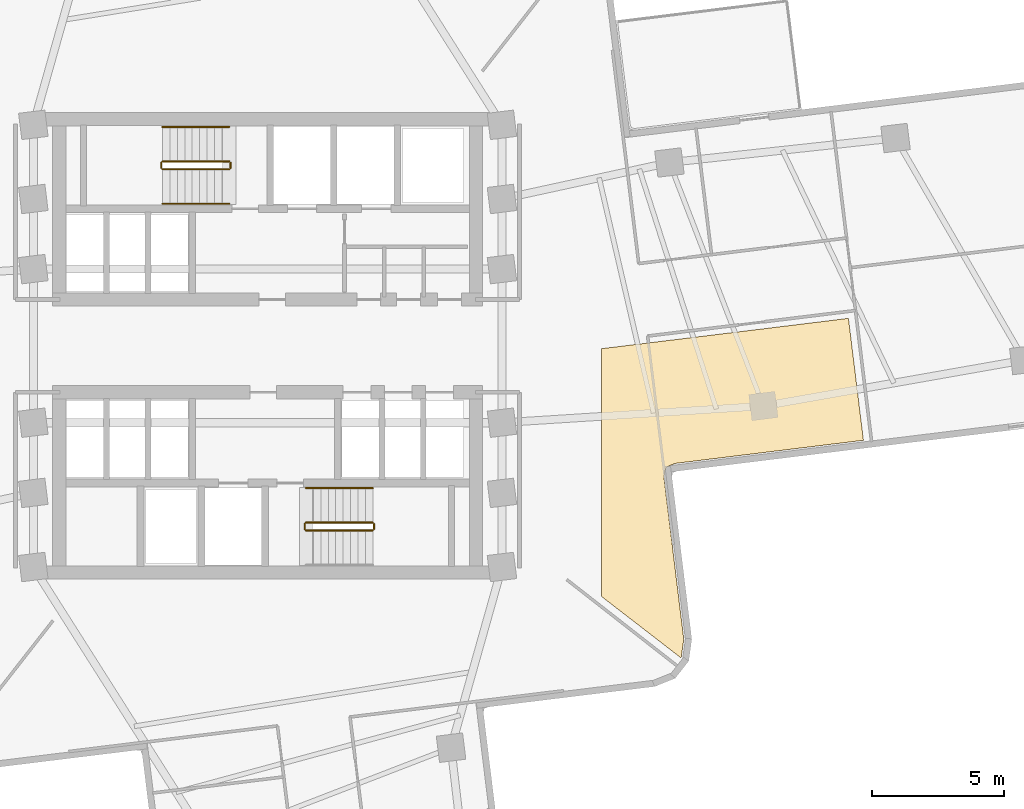
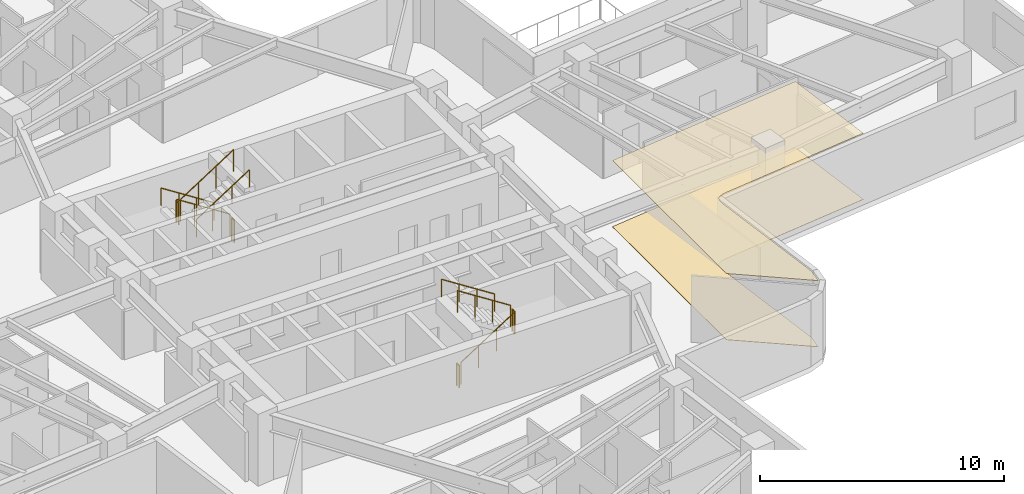
# One storey, part 12 of 13: 11 railings, 2 coverings.
"""IFC4 building model written with IfcOpenShell, lengths in metres."""

from ifc_helpers import new_model, si_unit, direction, frame, origin, origin_2d, place, context, subcontext, project, spatial, polyline, circle, outline, extrude, material, layer, layer_set, type_object, element, save


model = new_model("IFC4")

# Units and contexts
model_context = context("Model", 3, precision=1e-05, world=origin(), true_north=direction((0.0, 1.0)))
body_context = subcontext(model_context, "Body", "Model", "MODEL_VIEW")
ifc_project = project(units=[si_unit("LENGTHUNIT", "METRE"), si_unit("AREAUNIT", "SQUARE_METRE"), si_unit("VOLUMEUNIT", "CUBIC_METRE"), si_unit("PLANEANGLEUNIT", "RADIAN"), si_unit("MASSUNIT", "GRAM", prefix="KILO")], contexts=[model_context])

# Site, building, storey
site_placement = place(None, origin())
site = spatial("IfcSite", under=ifc_project, at=site_placement, CompositionType="ELEMENT")
building_placement = place(site_placement, origin())
building = spatial("IfcBuilding", under=site, at=building_placement, Name="Solmarez Civic Tower", CompositionType="ELEMENT")
storey_placement = place(building_placement, frame((0.0, 0.0, 82.080078125)))
storey = spatial("IfcBuildingStorey", under=building, at=storey_placement, Name="L21", CompositionType="ELEMENT", Elevation=82.080078125)

# Coverings
ifc_material_1 = material(Name="Perforated Mineral-Fibre Acoustic Ceiling")
ifc_layer_1 = layer(ifc_material_1, 0.02490234375)
ifc_layer_set_1 = layer_set([ifc_layer_1], Name="Perforated Mineral-Fibre Acoustic Ceiling")
covering_type_1 = type_object("IfcCoveringType", Name="COV-CEIL-ACOUSTIC", PredefinedType="CEILING", material=ifc_layer_set_1)
covering_1_placement = place(storey_placement, frame((0.0, 0.0, 3.31494140625)))
element("IfcCovering", 1, at=covering_1_placement, inside=storey, type_object=covering_type_1, Name="L21 Suspended Acoustic Ceiling 1", PredefinedType="CEILING", context=body_context, shape_type="SweptSolid", body=[
    extrude(outline(polyline([(12.60009765625, -0.10595703125), (12.60009765625, -9.4560546875), (15.614013671875, -11.783935546875), (15.617919921875, -11.779052734375), (15.717041015625, -11.077880859375), (14.971923828125, -5.006103515625), (14.970947265625, -5.0009765625), (14.968994140625, -4.969970703125), (14.968994140625, -4.962890625), (14.970947265625, -4.931884765625), (14.971923828125, -4.925048828125), (14.99609375, -4.75390625), (14.9970703125, -4.7470703125), (15.0029296875, -4.718017578125), (15.0048828125, -4.7109375), (15.014892578125, -4.68408203125), (15.01806640625, -4.677001953125), (15.029052734375, -4.655029296875), (15.032958984375, -4.64794921875), (15.037109375, -4.64111328125), (15.044921875, -4.6279296875), (15.049072265625, -4.6220703125), (15.06103515625, -4.60498046875), (15.075927734375, -4.589111328125), (15.091064453125, -4.574951171875), (15.10107421875, -4.56591796875), (15.114990234375, -4.554931640625), (15.1220703125, -4.550048828125), (15.136962890625, -4.541015625), (15.154052734375, -4.531005859375), (15.180908203125, -4.51806640625), (15.341064453125, -4.4541015625), (15.35302734375, -4.448974609375), (15.35888671875, -4.447021484375), (15.368896484375, -4.444091796875), (15.3759765625, -4.44189453125), (15.405029296875, -4.43603515625), (15.416015625, -4.43505859375), (22.501953125, -3.56396484375), (21.93603515625, 1.041015625), (12.60009765625, -0.10595703125)])), origin(), (0.0, 0.0, 1.0), 0.02490234375),
])
ifc_material_2 = material(Name="Polished Tropical Stone Terrazzo Flooring", Category="masonry")
ifc_layer_2 = layer(ifc_material_2, 0.02001953125)
ifc_layer_set_2 = layer_set([ifc_layer_2], Name="Polished Tropical Stone Terrazzo Flooring")
covering_type_2 = type_object("IfcCoveringType", Name="COV-FLOOR-TERRAZZO", PredefinedType="FLOORING", material=ifc_layer_set_2)
covering_2_placement = place(storey_placement, origin())
element("IfcCovering", 2, at=covering_2_placement, inside=storey, type_object=covering_type_2, Name="L21 Terrazzo Floor Finish 1", PredefinedType="FLOORING", context=body_context, shape_type="SweptSolid", body=[
    extrude(outline(polyline([(12.60009765625, -0.10595703125), (12.60009765625, -9.4560546875), (15.614013671875, -11.783935546875), (15.617919921875, -11.779052734375), (15.717041015625, -11.077880859375), (14.971923828125, -5.006103515625), (14.970947265625, -5.0009765625), (14.968994140625, -4.969970703125), (14.968994140625, -4.962890625), (14.970947265625, -4.931884765625), (14.971923828125, -4.925048828125), (14.99609375, -4.75390625), (14.9970703125, -4.7470703125), (15.0029296875, -4.718017578125), (15.0048828125, -4.7109375), (15.014892578125, -4.68408203125), (15.01806640625, -4.677001953125), (15.029052734375, -4.655029296875), (15.032958984375, -4.64794921875), (15.037109375, -4.64111328125), (15.044921875, -4.6279296875), (15.049072265625, -4.6220703125), (15.06103515625, -4.60498046875), (15.075927734375, -4.589111328125), (15.091064453125, -4.574951171875), (15.10107421875, -4.56591796875), (15.114990234375, -4.554931640625), (15.1220703125, -4.550048828125), (15.136962890625, -4.541015625), (15.154052734375, -4.531005859375), (15.180908203125, -4.51806640625), (15.341064453125, -4.4541015625), (15.35302734375, -4.448974609375), (15.35888671875, -4.447021484375), (15.368896484375, -4.444091796875), (15.3759765625, -4.44189453125), (15.405029296875, -4.43603515625), (15.416015625, -4.43505859375), (22.501953125, -3.56396484375), (21.93603515625, 1.041015625), (12.60009765625, -0.10595703125)])), origin(), (0.0, 0.0, 1.0), 0.02001953125),
])

# Railings
ifc_material_3 = material(Name="Painted Steel Stairwell Safety Guard", Category="steel")
railing_type_1 = type_object("IfcRailingType", Name="GUARD-STAIR-1120", PredefinedType="BALUSTRADE", material=ifc_material_3)
railing_1_placement = place(storey_placement, frame((-1.449951171875, 6.969970703125, 0.179931640625)))
element("IfcRailing", 3, at=railing_1_placement, inside=storey, type_object=railing_type_1, Name="L21 ST-1 stair guard 1", PredefinedType="BALUSTRADE", context=body_context, shape_type="SweptSolid", body=[
    extrude(circle(Radius=0.02392578125, at=origin_2d()), frame((0.0, 0.0, 1.09619140625), z_axis=(-0.841199657755, 0.0, 0.540724639528), x_axis=(0.0, -1.0, 0.0)), (0.0, 0.0, 1.0), 2.995849609375),
    extrude(circle(Radius=0.02099609375, at=origin_2d()), origin(), (0.0, 0.0, 1.0), 1.072021484375),
    extrude(circle(Radius=0.02099609375, at=origin_2d()), frame((-0.840087890625, 0.0, 0.5400390625)), (0.0, 0.0, 1.0), 1.072021484375),
    extrude(circle(Radius=0.02099609375, at=origin_2d()), frame((-1.679931640625, 0.0, 1.079833984375)), (0.0, 0.0, 1.0), 1.072021484375),
    extrude(circle(Radius=0.02099609375, at=origin_2d()), frame((-2.52001953125, 0.0, 1.619873046875)), (0.0, 0.0, 1.0), 1.072021484375),
])
railing_2_placement = place(storey_placement, frame((-4.02001953125, 6.919921875, 1.7998046875)))
element("IfcRailing", 4, at=railing_2_placement, inside=storey, type_object=railing_type_1, Name="L21 ST-1 stair guard 2", PredefinedType="BALUSTRADE", context=body_context, shape_type="SweptSolid", body=[
    extrude(circle(Radius=0.02392578125, at=origin_2d()), frame((0.0, 0.0, 1.09619140625), z_axis=(0.0, -1.0, 0.0), x_axis=(1.0, 0.0, 0.0)), (0.0, 0.0, 1.0), 0.199951171875),
    extrude(circle(Radius=0.02099609375, at=origin_2d()), origin(), (0.0, 0.0, 1.0), 1.072021484375),
    extrude(circle(Radius=0.02099609375, at=origin_2d()), frame((0.0, -0.199951171875, 0.0)), (0.0, 0.0, 1.0), 1.072021484375),
])
railing_3_placement = place(storey_placement, frame((-3.969970703125, 6.669921875, 1.97998046875)))
element("IfcRailing", 5, at=railing_3_placement, inside=storey, type_object=railing_type_1, Name="L21 ST-1 stair guard 3", PredefinedType="BALUSTRADE", context=body_context, shape_type="SweptSolid", body=[
    extrude(circle(Radius=0.02392578125, at=origin_2d()), frame((0.0, 0.0, 1.09619140625), z_axis=(0.841199657755, 0.0, 0.540724639528), x_axis=(0.0, 1.0, 0.0)), (0.0, 0.0, 1.0), 2.995849609375),
    extrude(circle(Radius=0.02099609375, at=origin_2d()), origin(), (0.0, 0.0, 1.0), 1.072021484375),
    extrude(circle(Radius=0.02099609375, at=origin_2d()), frame((0.840087890625, 0.0, 0.5400390625)), (0.0, 0.0, 1.0), 1.072021484375),
    extrude(circle(Radius=0.02099609375, at=origin_2d()), frame((1.679931640625, 0.0, 1.079833984375)), (0.0, 0.0, 1.0), 1.072021484375),
    extrude(circle(Radius=0.02099609375, at=origin_2d()), frame((2.52001953125, 0.0, 1.619873046875)), (0.0, 0.0, 1.0), 1.072021484375),
])
railing_4_placement = place(storey_placement, frame((-1.39990234375, 6.919921875, 0.0)))
element("IfcRailing", 6, at=railing_4_placement, inside=storey, type_object=railing_type_1, Name="L21 ST-1 stair guard 4", PredefinedType="BALUSTRADE", context=body_context, shape_type="SweptSolid", body=[
    extrude(circle(Radius=0.02392578125, at=origin_2d()), frame((0.0, 0.0, 1.09619140625), z_axis=(0.0, -1.0, 0.0), x_axis=(1.0, 0.0, 0.0)), (0.0, 0.0, 1.0), 0.199951171875),
    extrude(circle(Radius=0.02099609375, at=origin_2d()), origin(), (0.0, 0.0, 1.0), 1.072021484375),
    extrude(circle(Radius=0.02099609375, at=origin_2d()), frame((0.0, -0.199951171875, 0.0)), (0.0, 0.0, 1.0), 1.072021484375),
])
railing_5_placement = place(storey_placement, frame((1.449951171875, -6.969970703125, 0.179931640625)))
element("IfcRailing", 7, at=railing_5_placement, inside=storey, type_object=railing_type_1, Name="L21 ST-2 stair guard 1", PredefinedType="BALUSTRADE", context=body_context, shape_type="SweptSolid", body=[
    extrude(circle(Radius=0.02392578125, at=origin_2d()), frame((0.0, 0.0, 1.09619140625), z_axis=(0.841199657755, 0.0, 0.540724639528), x_axis=(0.0, 1.0, 0.0)), (0.0, 0.0, 1.0), 2.995849609375),
    extrude(circle(Radius=0.02099609375, at=origin_2d()), origin(), (0.0, 0.0, 1.0), 1.072021484375),
    extrude(circle(Radius=0.02099609375, at=origin_2d()), frame((0.840087890625, 0.0, 0.5400390625)), (0.0, 0.0, 1.0), 1.072021484375),
    extrude(circle(Radius=0.02099609375, at=origin_2d()), frame((1.679931640625, 0.0, 1.079833984375)), (0.0, 0.0, 1.0), 1.072021484375),
    extrude(circle(Radius=0.02099609375, at=origin_2d()), frame((2.52001953125, 0.0, 1.619873046875)), (0.0, 0.0, 1.0), 1.072021484375),
])
railing_6_placement = place(storey_placement, frame((4.02001953125, -6.919921875, 1.7998046875)))
element("IfcRailing", 8, at=railing_6_placement, inside=storey, type_object=railing_type_1, Name="L21 ST-2 stair guard 2", PredefinedType="BALUSTRADE", context=body_context, shape_type="SweptSolid", body=[
    extrude(circle(Radius=0.02392578125, at=origin_2d()), frame((0.0, 0.0, 1.09619140625), z_axis=(0.0, 1.0, 0.0), x_axis=(-1.0, 0.0, 0.0)), (0.0, 0.0, 1.0), 0.199951171875),
    extrude(circle(Radius=0.02099609375, at=origin_2d()), origin(), (0.0, 0.0, 1.0), 1.072021484375),
    extrude(circle(Radius=0.02099609375, at=origin_2d()), frame((0.0, 0.199951171875, 0.0)), (0.0, 0.0, 1.0), 1.072021484375),
])
railing_7_placement = place(storey_placement, frame((3.969970703125, -6.669921875, 1.97998046875)))
element("IfcRailing", 9, at=railing_7_placement, inside=storey, type_object=railing_type_1, Name="L21 ST-2 stair guard 3", PredefinedType="BALUSTRADE", context=body_context, shape_type="SweptSolid", body=[
    extrude(circle(Radius=0.02392578125, at=origin_2d()), frame((0.0, 0.0, 1.09619140625), z_axis=(-0.841199657755, 0.0, 0.540724639528), x_axis=(0.0, -1.0, 0.0)), (0.0, 0.0, 1.0), 2.995849609375),
    extrude(circle(Radius=0.02099609375, at=origin_2d()), origin(), (0.0, 0.0, 1.0), 1.072021484375),
    extrude(circle(Radius=0.02099609375, at=origin_2d()), frame((-0.840087890625, 0.0, 0.5400390625)), (0.0, 0.0, 1.0), 1.072021484375),
    extrude(circle(Radius=0.02099609375, at=origin_2d()), frame((-1.679931640625, 0.0, 1.079833984375)), (0.0, 0.0, 1.0), 1.072021484375),
    extrude(circle(Radius=0.02099609375, at=origin_2d()), frame((-2.52001953125, 0.0, 1.619873046875)), (0.0, 0.0, 1.0), 1.072021484375),
])
railing_8_placement = place(storey_placement, frame((1.39990234375, -6.919921875, 0.0)))
element("IfcRailing", 10, at=railing_8_placement, inside=storey, type_object=railing_type_1, Name="L21 ST-2 stair guard 4", PredefinedType="BALUSTRADE", context=body_context, shape_type="SweptSolid", body=[
    extrude(circle(Radius=0.02392578125, at=origin_2d()), frame((0.0, 0.0, 1.09619140625), z_axis=(0.0, 1.0, 0.0), x_axis=(-1.0, 0.0, 0.0)), (0.0, 0.0, 1.0), 0.199951171875),
    extrude(circle(Radius=0.02099609375, at=origin_2d()), origin(), (0.0, 0.0, 1.0), 1.072021484375),
    extrude(circle(Radius=0.02099609375, at=origin_2d()), frame((0.0, 0.199951171875, 0.0)), (0.0, 0.0, 1.0), 1.072021484375),
])
ifc_material_4 = material(Name="Brushed Stainless Steel Tube Handrail", Category="steel")
railing_type_2 = type_object("IfcRailingType", Name="HANDRAIL-STAIR-900", PredefinedType="HANDRAIL", material=ifc_material_4)
railing_9_placement = place(storey_placement, frame((-1.449951171875, 8.27001953125, 0.179931640625)))
element("IfcRailing", 11, at=railing_9_placement, inside=storey, type_object=railing_type_2, Name="L21 ST-1 stair handrail 1", PredefinedType="HANDRAIL", context=body_context, shape_type="SweptSolid", body=[
    extrude(circle(Radius=0.02392578125, at=origin_2d()), frame((0.0, 0.0, 0.8759765625), z_axis=(-0.841199657755, 0.0, 0.540724639528), x_axis=(0.0, -1.0, 0.0)), (0.0, 0.0, 1.0), 2.995849609375),
    extrude(circle(Radius=0.02099609375, at=origin_2d()), origin(), (0.0, 0.0, 1.0), 0.851806640625),
    extrude(circle(Radius=0.02099609375, at=origin_2d()), frame((-0.840087890625, 0.0, 0.5400390625)), (0.0, 0.0, 1.0), 0.851806640625),
    extrude(circle(Radius=0.02099609375, at=origin_2d()), frame((-1.679931640625, 0.0, 1.079833984375)), (0.0, 0.0, 1.0), 0.851806640625),
    extrude(circle(Radius=0.02099609375, at=origin_2d()), frame((-2.52001953125, 0.0, 1.619873046875)), (0.0, 0.0, 1.0), 0.851806640625),
])
railing_10_placement = place(storey_placement, frame((-3.969970703125, 5.3701171875, 1.97998046875)))
element("IfcRailing", 12, at=railing_10_placement, inside=storey, type_object=railing_type_2, Name="L21 ST-1 stair handrail 2", PredefinedType="HANDRAIL", context=body_context, shape_type="SweptSolid", body=[
    extrude(circle(Radius=0.02392578125, at=origin_2d()), frame((0.0, 0.0, 0.8759765625), z_axis=(0.841199657755, 0.0, 0.540724639528), x_axis=(0.0, 1.0, 0.0)), (0.0, 0.0, 1.0), 2.995849609375),
    extrude(circle(Radius=0.02099609375, at=origin_2d()), origin(), (0.0, 0.0, 1.0), 0.851806640625),
    extrude(circle(Radius=0.02099609375, at=origin_2d()), frame((0.840087890625, 0.0, 0.5400390625)), (0.0, 0.0, 1.0), 0.851806640625),
    extrude(circle(Radius=0.02099609375, at=origin_2d()), frame((1.679931640625, 0.0, 1.079833984375)), (0.0, 0.0, 1.0), 0.851806640625),
    extrude(circle(Radius=0.02099609375, at=origin_2d()), frame((2.52001953125, 0.0, 1.619873046875)), (0.0, 0.0, 1.0), 0.851806640625),
])
railing_11_placement = place(storey_placement, frame((3.969970703125, -5.3701171875, 1.97998046875)))
element("IfcRailing", 13, at=railing_11_placement, inside=storey, type_object=railing_type_2, Name="L21 ST-2 stair handrail 2", PredefinedType="HANDRAIL", context=body_context, shape_type="SweptSolid", body=[
    extrude(circle(Radius=0.02392578125, at=origin_2d()), frame((0.0, 0.0, 0.8759765625), z_axis=(-0.841199657755, 0.0, 0.540724639528), x_axis=(0.0, -1.0, 0.0)), (0.0, 0.0, 1.0), 2.995849609375),
    extrude(circle(Radius=0.02099609375, at=origin_2d()), origin(), (0.0, 0.0, 1.0), 0.851806640625),
    extrude(circle(Radius=0.02099609375, at=origin_2d()), frame((-0.840087890625, 0.0, 0.5400390625)), (0.0, 0.0, 1.0), 0.851806640625),
    extrude(circle(Radius=0.02099609375, at=origin_2d()), frame((-1.679931640625, 0.0, 1.079833984375)), (0.0, 0.0, 1.0), 0.851806640625),
    extrude(circle(Radius=0.02099609375, at=origin_2d()), frame((-2.52001953125, 0.0, 1.619873046875)), (0.0, 0.0, 1.0), 0.851806640625),
])

save(model, "model.ifc")
